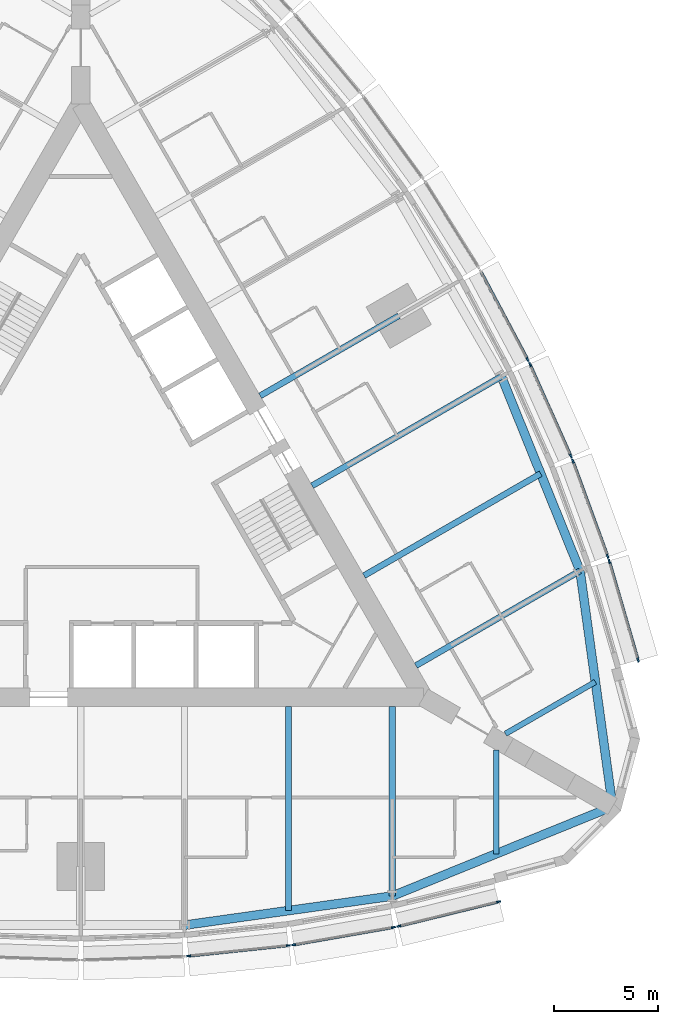
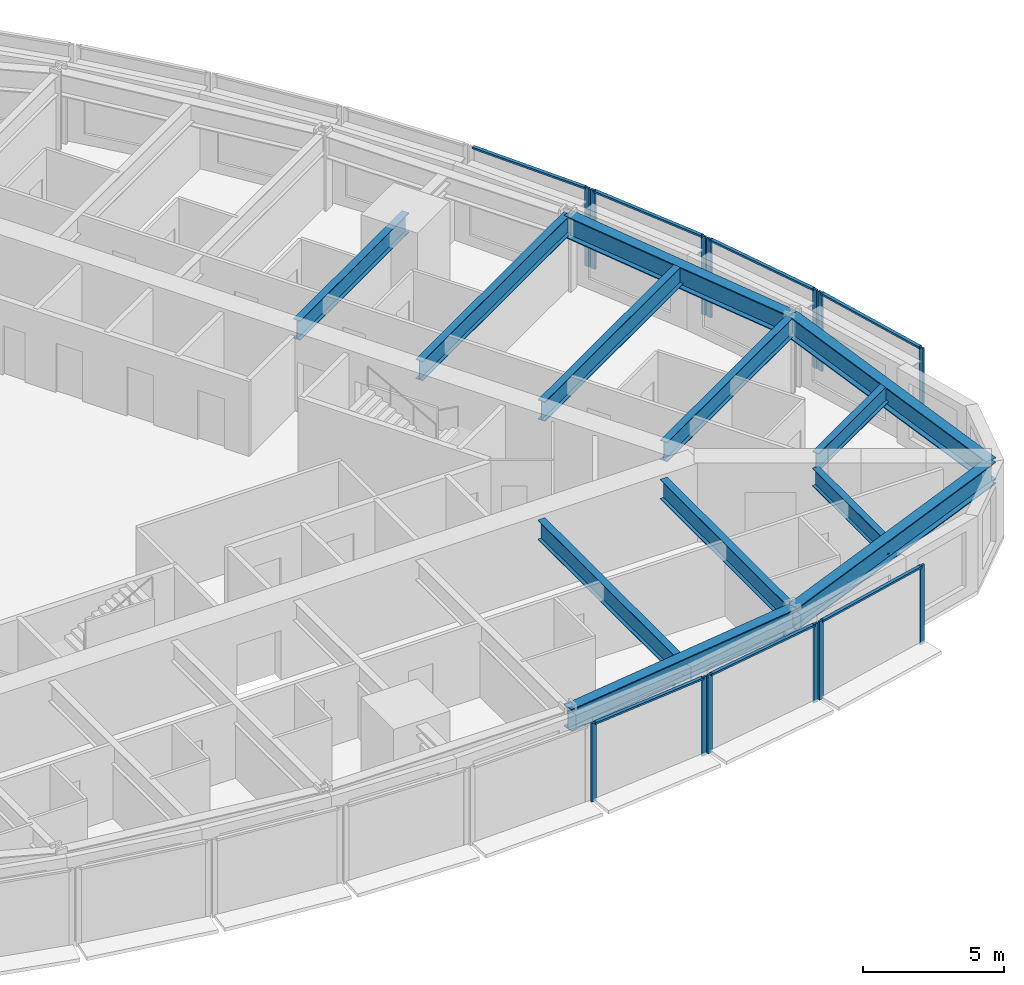
# One storey, part 3 of 14: 20 members, 12 beams, 7 elements without a shape of their own.
"""IFC4 building model written with IfcOpenShell, lengths in metres."""

from ifc_helpers import new_model, si_unit, direction, frame, origin, origin_2d, place, context, subcontext, project, spatial, rectangle, i_section, extrude, material, material_profile, profile_set, type_object, element, aggregate, save


model = new_model("IFC4")

# Units and contexts
model_context = context("Model", 3, precision=1e-05, world=origin(), true_north=direction((0.0, 1.0)))
body_context = subcontext(model_context, "Body", "Model", "MODEL_VIEW")
ifc_project = project(units=[si_unit("LENGTHUNIT", "METRE"), si_unit("AREAUNIT", "SQUARE_METRE"), si_unit("VOLUMEUNIT", "CUBIC_METRE"), si_unit("PLANEANGLEUNIT", "RADIAN"), si_unit("MASSUNIT", "GRAM", prefix="KILO")], contexts=[model_context])

# Site, building, storey
site_placement = place(None, origin())
site = spatial("IfcSite", under=ifc_project, at=site_placement, CompositionType="ELEMENT")
building_placement = place(site_placement, origin())
building = spatial("IfcBuilding", under=site, at=building_placement, Name="Trikona Tower", CompositionType="ELEMENT")
storey_placement = place(building_placement, frame((0.0, 0.0, 118.10009765625)))
storey = spatial("IfcBuildingStorey", under=building, at=storey_placement, Name="L30", CompositionType="ELEMENT", Elevation=118.10009765625)

# Curtain wall, members
ifc_material_1 = material(Name="Aluminium curtain wall system", Category="aluminium")
curtain_wall_type = type_object("IfcCurtainWallType", Name="Curtain wall DS2", PredefinedType="NOTDEFINED", material=ifc_material_1)
curtain_wall_1_placement = place(storey_placement, origin())
curtain_wall_1 = element("IfcCurtainWall", 1, at=curtain_wall_1_placement, inside=storey, type_object=curtain_wall_type, Name="Curtain wall DS2 L30", PredefinedType="NOTDEFINED")
ifc_material_2 = material(Name="Aluminium mullion, pale anodised", Category="aluminium")
ifc_material_profile_1 = material_profile(ifc_material_2, rectangle(XDim=0.080078125, YDim=0.199951171875, at=origin_2d()), Name="MUL-DS2")
ifc_profile_set_1 = profile_set([ifc_material_profile_1], Name="Aluminium mullion, pale anodised")
member_type_1 = type_object("IfcMemberType", Name="Mullion DS2 80x200", PredefinedType="MULLION", material=ifc_profile_set_1)
member_1_placement = place(storey_placement, frame((5.193359375, -21.98486328125, 0.0), z_axis=(0.0, 0.0, 1.0), x_axis=(-0.104433387357, 0.994531883654, 0.0)))
member_1 = element("IfcMember", 2, at=member_1_placement, type_object=member_type_1, Name="CW-DS2 mullion 1", PredefinedType="MULLION", context=body_context, shape_type="SweptSolid", body=[
    extrude(rectangle(XDim=0.080078125, YDim=0.199951171875, at=origin_2d()), origin(), (0.0, 0.0, 1.0), 3.39990234375),
])
member_2_placement = place(storey_placement, frame((9.99462890625, -21.480712890625, 0.0), z_axis=(0.0, 0.0, 1.0), x_axis=(-0.104433387357, 0.994531883654, 0.0)))
member_2 = element("IfcMember", 3, at=member_2_placement, type_object=member_type_1, Name="CW-DS2 mullion 2", PredefinedType="MULLION", context=body_context, shape_type="SweptSolid", body=[
    extrude(rectangle(XDim=0.080078125, YDim=0.199951171875, at=origin_2d()), origin(), (0.0, 0.0, 1.0), 3.39990234375),
])

curtain_wall_2_placement = place(storey_placement, origin())
curtain_wall_2 = element("IfcCurtainWall", 4, at=curtain_wall_2_placement, inside=storey, type_object=curtain_wall_type, Name="Curtain wall DS2 L30", PredefinedType="NOTDEFINED")
member_3_placement = place(storey_placement, frame((10.253662109375, -21.444580078125, 0.0), z_axis=(0.0, 0.0, 1.0), x_axis=(-0.17237739505, 0.985030981074, 0.0)))
member_3 = element("IfcMember", 5, at=member_3_placement, type_object=member_type_1, Name="CW-DS2 mullion 1", PredefinedType="MULLION", context=body_context, shape_type="SweptSolid", body=[
    extrude(rectangle(XDim=0.080078125, YDim=0.199951171875, at=origin_2d()), origin(), (0.0, 0.0, 1.0), 3.39990234375),
])
member_4_placement = place(storey_placement, frame((15.056640625, -20.60400390625, 0.0), z_axis=(0.0, 0.0, 1.0), x_axis=(-0.17237739505, 0.985030981074, 0.0)))
member_4 = element("IfcMember", 6, at=member_4_placement, type_object=member_type_1, Name="CW-DS2 mullion 2", PredefinedType="MULLION", context=body_context, shape_type="SweptSolid", body=[
    extrude(rectangle(XDim=0.080078125, YDim=0.199951171875, at=origin_2d()), origin(), (0.0, 0.0, 1.0), 3.39990234375),
])

curtain_wall_3_placement = place(storey_placement, origin())
curtain_wall_3 = element("IfcCurtainWall", 7, at=curtain_wall_3_placement, inside=storey, type_object=curtain_wall_type, Name="Curtain wall DS2 L30", PredefinedType="NOTDEFINED")
member_5_placement = place(storey_placement, frame((15.311279296875, -20.550537109375, 0.0), z_axis=(0.0, 0.0, 1.0), x_axis=(-0.237970204243, 0.971272455026, 0.0)))
member_5 = element("IfcMember", 8, at=member_5_placement, type_object=member_type_1, Name="CW-DS2 mullion 1", PredefinedType="MULLION", context=body_context, shape_type="SweptSolid", body=[
    extrude(rectangle(XDim=0.080078125, YDim=0.199951171875, at=origin_2d()), origin(), (0.0, 0.0, 1.0), 3.39990234375),
])
member_6_placement = place(storey_placement, frame((20.116943359375, -19.373046875, 0.0), z_axis=(0.0, 0.0, 1.0), x_axis=(-0.237970204243, 0.971272455026, 0.0)))
member_6 = element("IfcMember", 9, at=member_6_placement, type_object=member_type_1, Name="CW-DS2 mullion 2", PredefinedType="MULLION", context=body_context, shape_type="SweptSolid", body=[
    extrude(rectangle(XDim=0.080078125, YDim=0.199951171875, at=origin_2d()), origin(), (0.0, 0.0, 1.0), 3.39990234375),
])

curtain_wall_4_placement = place(storey_placement, origin())
curtain_wall_4 = element("IfcCurtainWall", 10, at=curtain_wall_4_placement, inside=storey, type_object=curtain_wall_type, Name="Curtain wall DS2 L30", PredefinedType="NOTDEFINED")
member_7_placement = place(storey_placement, frame((26.836181640625, -7.7353515625, 0.0), z_axis=(0.0, 0.0, 1.0), x_axis=(-0.96013310152, -0.279543247757, 0.0)))
member_7 = element("IfcMember", 11, at=member_7_placement, type_object=member_type_1, Name="CW-DS2 mullion 1", PredefinedType="MULLION", context=body_context, shape_type="SweptSolid", body=[
    extrude(rectangle(XDim=0.080078125, YDim=0.199951171875, at=origin_2d()), origin(), (0.0, 0.0, 1.0), 3.39990234375),
])
member_8_placement = place(storey_placement, frame((25.452880859375, -2.984619140625, 0.0), z_axis=(0.0, 0.0, 1.0), x_axis=(-0.96013310152, -0.279543247757, 0.0)))
member_8 = element("IfcMember", 12, at=member_8_placement, type_object=member_type_1, Name="CW-DS2 mullion 2", PredefinedType="MULLION", context=body_context, shape_type="SweptSolid", body=[
    extrude(rectangle(XDim=0.080078125, YDim=0.199951171875, at=origin_2d()), origin(), (0.0, 0.0, 1.0), 3.39990234375),
])

curtain_wall_5_placement = place(storey_placement, origin())
curtain_wall_5 = element("IfcCurtainWall", 13, at=curtain_wall_5_placement, inside=storey, type_object=curtain_wall_type, Name="Curtain wall DS2 L30", PredefinedType="NOTDEFINED")
member_9_placement = place(storey_placement, frame((25.371826171875, -2.737548828125, 0.0), z_axis=(0.0, 0.0, 1.0), x_axis=(-0.939253790978, -0.343223420143, 0.0)))
member_9 = element("IfcMember", 14, at=member_9_placement, type_object=member_type_1, Name="CW-DS2 mullion 1", PredefinedType="MULLION", context=body_context, shape_type="SweptSolid", body=[
    extrude(rectangle(XDim=0.080078125, YDim=0.199951171875, at=origin_2d()), origin(), (0.0, 0.0, 1.0), 3.39990234375),
])
member_10_placement = place(storey_placement, frame((23.6982421875, 1.84228515625, 0.0), z_axis=(0.0, 0.0, 1.0), x_axis=(-0.939253790978, -0.343223420143, 0.0)))
member_10 = element("IfcMember", 15, at=member_10_placement, type_object=member_type_1, Name="CW-DS2 mullion 2", PredefinedType="MULLION", context=body_context, shape_type="SweptSolid", body=[
    extrude(rectangle(XDim=0.080078125, YDim=0.199951171875, at=origin_2d()), origin(), (0.0, 0.0, 1.0), 3.39990234375),
])

curtain_wall_6_placement = place(storey_placement, origin())
curtain_wall_6 = element("IfcCurtainWall", 16, at=curtain_wall_6_placement, inside=storey, type_object=curtain_wall_type, Name="Curtain wall DS2 L30", PredefinedType="NOTDEFINED")
member_11_placement = place(storey_placement, frame((23.60009765625, 2.0849609375, 0.0), z_axis=(0.0, 0.0, 1.0), x_axis=(-0.913501208767, -0.406836013132, 0.0)))
member_11 = element("IfcMember", 17, at=member_11_placement, type_object=member_type_1, Name="CW-DS2 mullion 1", PredefinedType="MULLION", context=body_context, shape_type="SweptSolid", body=[
    extrude(rectangle(XDim=0.080078125, YDim=0.199951171875, at=origin_2d()), origin(), (0.0, 0.0, 1.0), 3.39990234375),
])
member_12_placement = place(storey_placement, frame((21.63623046875, 6.494873046875, 0.0), z_axis=(0.0, 0.0, 1.0), x_axis=(-0.913501208767, -0.406836013132, 0.0)))
member_12 = element("IfcMember", 18, at=member_12_placement, type_object=member_type_1, Name="CW-DS2 mullion 2", PredefinedType="MULLION", context=body_context, shape_type="SweptSolid", body=[
    extrude(rectangle(XDim=0.080078125, YDim=0.199951171875, at=origin_2d()), origin(), (0.0, 0.0, 1.0), 3.39990234375),
])

# Curtain wall, member
curtain_wall_7_placement = place(storey_placement, origin())
curtain_wall_7 = element("IfcCurtainWall", 19, at=curtain_wall_7_placement, inside=storey, type_object=curtain_wall_type, Name="Curtain wall DS2 L30", PredefinedType="NOTDEFINED")
member_13_placement = place(storey_placement, frame((21.52099609375, 6.730712890625, 0.0), z_axis=(0.0, 0.0, 1.0), x_axis=(-0.882996107343, -0.469380308937, 0.0)))
member_13 = element("IfcMember", 20, at=member_13_placement, type_object=member_type_1, Name="CW-DS2 mullion 1", PredefinedType="MULLION", context=body_context, shape_type="SweptSolid", body=[
    extrude(rectangle(XDim=0.080078125, YDim=0.199951171875, at=origin_2d()), origin(), (0.0, 0.0, 1.0), 3.39990234375),
])

# Beams
ifc_material_3 = material(Name="Steel ASTM A992 Grade 50", Category="steel")
ifc_material_profile_2 = material_profile(ifc_material_3, i_section(OverallWidth=0.2666015625, OverallDepth=0.76953125, WebThickness=0.015625, FlangeThickness=0.025390625, at=origin_2d()), Name="W30X132")
ifc_profile_set_2 = profile_set([ifc_material_profile_2], Name="Steel ASTM A992 Grade 50")
beam_type_1 = type_object("IfcBeamType", Name="Steel beam W30x132 (wedge)", PredefinedType="BEAM", material=ifc_profile_set_2)
beam_1_placement = place(storey_placement, frame((20.0, -12.066650390625, 2.85009765625), z_axis=(0.0, -1.0, 0.0), x_axis=(1.0, 0.0, 0.0)))
element("IfcBeam", 21, at=beam_1_placement, inside=storey, type_object=beam_type_1, Name="Floor beam L31 F1 u20", PredefinedType="BEAM", context=body_context, shape_type="SweptSolid", body=[
    extrude(i_section(OverallWidth=0.2666015625, OverallDepth=0.76953125, WebThickness=0.015625, FlangeThickness=0.025390625, at=origin_2d()), origin(), (0.0, 0.0, 1.0), 5.00048828125),
])
beam_2_placement = place(storey_placement, frame((20.449951171875, -11.287109375, 2.85009765625), z_axis=(0.866038434829, 0.49997742889, 0.0), x_axis=(-0.49997742889, 0.866038434829, 0.0)))
element("IfcBeam", 22, at=beam_2_placement, inside=storey, type_object=beam_type_1, Name="Floor beam L31 F2 u-20", PredefinedType="BEAM", context=body_context, shape_type="SweptSolid", body=[
    extrude(i_section(OverallWidth=0.2666015625, OverallDepth=0.76953125, WebThickness=0.015625, FlangeThickness=0.025390625, at=origin_2d()), origin(), (0.0, 0.0, 1.0), 5.000732421875),
])
ifc_material_4 = material(Name="Steel ASTM A992 Grade 50", Category="steel")
ifc_material_profile_3 = material_profile(ifc_material_4, i_section(OverallWidth=0.2919921875, OverallDepth=0.845703125, WebThickness=0.015380859375, FlangeThickness=0.0244140625, at=origin_2d()), Name="W33X141")
ifc_profile_set_3 = profile_set([ifc_material_profile_3], Name="Steel ASTM A992 Grade 50")
beam_type_2 = type_object("IfcBeamType", Name="Steel beam W33x141 (radial typ)", PredefinedType="BEAM", material=ifc_profile_set_3)
beam_3_placement = place(storey_placement, frame((10.0, -9.976318359375, 2.81201171875), z_axis=(0.0, -1.0, 0.0), x_axis=(1.0, 0.0, 0.0)))
element("IfcBeam", 23, at=beam_3_placement, inside=storey, type_object=beam_type_2, Name="Floor beam L31 F1 u10", PredefinedType="BEAM", context=body_context, shape_type="SweptSolid", body=[
    extrude(i_section(OverallWidth=0.2919921875, OverallDepth=0.845703125, WebThickness=0.015380859375, FlangeThickness=0.0244140625, at=origin_2d()), origin(), (0.0, 0.0, 1.0), 9.823974609375),
])
beam_4_placement = place(storey_placement, frame((15.0, -9.976318359375, 2.81201171875), z_axis=(0.0, -1.0, 0.0), x_axis=(1.0, 0.0, 0.0)))
element("IfcBeam", 24, at=beam_4_placement, inside=storey, type_object=beam_type_2, Name="Floor beam L31 F1 u15", PredefinedType="BEAM", context=body_context, shape_type="SweptSolid", body=[
    extrude(i_section(OverallWidth=0.2919921875, OverallDepth=0.845703125, WebThickness=0.015380859375, FlangeThickness=0.0244140625, at=origin_2d()), origin(), (0.0, 0.0, 1.0), 9.123779296875),
])
beam_5_placement = place(storey_placement, frame((16.1396484375, -8.002197265625, 2.81201171875), z_axis=(0.866024725532, 0.500001174766, 0.0), x_axis=(-0.500001174766, 0.866024725532, 0.0)))
element("IfcBeam", 25, at=beam_5_placement, inside=storey, type_object=beam_type_2, Name="Floor beam L31 F2 u-15", PredefinedType="BEAM", context=body_context, shape_type="SweptSolid", body=[
    extrude(i_section(OverallWidth=0.2919921875, OverallDepth=0.845703125, WebThickness=0.015380859375, FlangeThickness=0.0244140625, at=origin_2d()), origin(), (0.0, 0.0, 1.0), 9.1240234375),
])
beam_6_placement = place(storey_placement, frame((13.6396484375, -3.672119140625, 2.81201171875), z_axis=(0.866020046725, 0.500009278584, 0.0), x_axis=(-0.500009278584, 0.866020046725, 0.0)))
element("IfcBeam", 26, at=beam_6_placement, inside=storey, type_object=beam_type_2, Name="Floor beam L31 F2 u-10", PredefinedType="BEAM", context=body_context, shape_type="SweptSolid", body=[
    extrude(i_section(OverallWidth=0.2919921875, OverallDepth=0.845703125, WebThickness=0.015380859375, FlangeThickness=0.0244140625, at=origin_2d()), origin(), (0.0, 0.0, 1.0), 9.823974609375),
])
beam_7_placement = place(storey_placement, frame((11.1396484375, 0.657958984375, 2.81201171875), z_axis=(0.866026035623, 0.499998905622, 0.0), x_axis=(-0.499998905622, 0.866026035623, 0.0)))
element("IfcBeam", 27, at=beam_7_placement, inside=storey, type_object=beam_type_2, Name="Floor beam L31 F2 u-5", PredefinedType="BEAM", context=body_context, shape_type="SweptSolid", body=[
    extrude(i_section(OverallWidth=0.2919921875, OverallDepth=0.845703125, WebThickness=0.015380859375, FlangeThickness=0.0244140625, at=origin_2d()), origin(), (0.0, 0.0, 1.0), 10.52392578125),
])
beam_8_placement = place(storey_placement, frame((8.6396484375, 4.988037109375, 2.81201171875), z_axis=(0.866017246294, 0.500014128921, 0.0), x_axis=(-0.500014128921, 0.866017246294, 0.0)))
element("IfcBeam", 28, at=beam_8_placement, inside=storey, type_object=beam_type_2, Name="Floor beam L31 F2 u0", PredefinedType="BEAM", context=body_context, shape_type="SweptSolid", body=[
    extrude(i_section(OverallWidth=0.2919921875, OverallDepth=0.845703125, WebThickness=0.015380859375, FlangeThickness=0.0244140625, at=origin_2d()), origin(), (0.0, 0.0, 1.0), 7.704345703125),
])
ifc_material_5 = material(Name="Steel ASTM A992 Grade 50", Category="steel")
ifc_material_profile_4 = material_profile(ifc_material_5, i_section(OverallWidth=0.424072265625, OverallDepth=0.947509765625, WebThickness=0.02392578125, FlangeThickness=0.042724609375, at=origin_2d()), Name="W36X302")
ifc_profile_set_4 = profile_set([ifc_material_profile_4], Name="Steel ASTM A992 Grade 50")
beam_type_3 = type_object("IfcBeamType", Name="Steel beam W36x302 (spandrel)", PredefinedType="SPANDREL", material=ifc_profile_set_4)
beam_9_placement = place(storey_placement, frame((5.0, -20.500244140625, 2.76123046875), z_axis=(0.990339754644, 0.13866207258, 0.0), x_axis=(-0.13866207258, 0.990339754644, 0.0)))
element("IfcBeam", 29, at=beam_9_placement, inside=storey, type_object=beam_type_3, Name="Spandrel beam L31 F1-4", PredefinedType="SPANDREL", context=body_context, shape_type="SweptSolid", body=[
    extrude(i_section(OverallWidth=0.424072265625, OverallDepth=0.947509765625, WebThickness=0.02392578125, FlangeThickness=0.042724609375, at=origin_2d()), origin(), (0.0, 0.0, 1.0), 10.09765625),
])
for number, where, z_axis, x_axis, name in (
    (30, (15.0, -19.10009765625, 2.76123046875), (0.926359695662, 0.376640032728, 0.0), (-0.376640032728, 0.926359695662, 0.0), "Spandrel beam L31 F1-5"),
    (31, (25.6103515625, -14.7861328125, 2.76123046875), (-0.136991535842, 0.990572218017, 0.0), (-0.990572218017, -0.136991535842, 0.0), "Spandrel beam L31 F2-1"),
):
    element("IfcBeam", number, at=place(storey_placement, frame(where, z_axis=z_axis, x_axis=x_axis)), inside=storey, type_object=beam_type_3, Name=name, PredefinedType="SPANDREL", context=body_context, shape_type="SweptSolid", body=[
        extrude(i_section(OverallWidth=0.424072265625, OverallDepth=0.947509765625, WebThickness=0.02392578125, FlangeThickness=0.042724609375, at=origin_2d()), origin(), (0.0, 0.0, 1.0), 11.453857421875),
    ])
beam_10_placement = place(storey_placement, frame((24.041259765625, -3.440185546875, 2.76123046875), z_axis=(-0.375106193787, 0.926981846307, 0.0), x_axis=(-0.926981846307, -0.375106193787, 0.0)))
element("IfcBeam", 32, at=beam_10_placement, inside=storey, type_object=beam_type_3, Name="Spandrel beam L31 F2-2", PredefinedType="SPANDREL", context=body_context, shape_type="SweptSolid", body=[
    extrude(i_section(OverallWidth=0.424072265625, OverallDepth=0.947509765625, WebThickness=0.02392578125, FlangeThickness=0.042724609375, at=origin_2d()), origin(), (0.0, 0.0, 1.0), 10.097412109375),
])

# Member
ifc_material_6 = material(Name="Aluminium transom, pale anodised", Category="aluminium")
ifc_material_profile_5 = material_profile(ifc_material_6, rectangle(XDim=0.139892578125, YDim=0.080078125, at=origin_2d()), Name="TRN-DS2")
ifc_profile_set_5 = profile_set([ifc_material_profile_5], Name="Aluminium transom, pale anodised")
member_type_2 = type_object("IfcMemberType", Name="Transom DS2 80x140", PredefinedType="USERDEFINED", material=ifc_profile_set_5)
member_14_placement = place(storey_placement, frame((5.233154296875, -21.980712890625, 3.35986328125), z_axis=(0.99453106441, 0.104441188822, 0.0), x_axis=(-0.104441188822, 0.99453106441, 0.0)))
member_14 = element("IfcMember", 33, at=member_14_placement, type_object=member_type_2, Name="CW-DS2 transom 1.1", ObjectType="TRANSOM", PredefinedType="USERDEFINED", context=body_context, shape_type="SweptSolid", body=[
    extrude(rectangle(XDim=0.139892578125, YDim=0.080078125, at=origin_2d()), origin(), (0.0, 0.0, 1.0), 4.74755859375),
])

aggregate(curtain_wall_1, [member_1, member_2, member_14])

member_15_placement = place(storey_placement, frame((10.29296875, -21.4375, 3.35986328125), z_axis=(0.98503262804, 0.172367983387, 0.0), x_axis=(-0.172367983387, 0.98503262804, 0.0)))
member_15 = element("IfcMember", 34, at=member_15_placement, type_object=member_type_2, Name="CW-DS2 transom 1.1", ObjectType="TRANSOM", PredefinedType="USERDEFINED", context=body_context, shape_type="SweptSolid", body=[
    extrude(rectangle(XDim=0.139892578125, YDim=0.080078125, at=origin_2d()), origin(), (0.0, 0.0, 1.0), 4.7958984375),
])

aggregate(curtain_wall_2, [member_3, member_4, member_15])

member_16_placement = place(storey_placement, frame((15.35009765625, -20.541015625, 3.35986328125), z_axis=(0.971270583303, 0.237977843528, 0.0), x_axis=(-0.237977843528, 0.971270583303, 0.0)))
member_16 = element("IfcMember", 35, at=member_16_placement, type_object=member_type_2, Name="CW-DS2 transom 1.1", ObjectType="TRANSOM", PredefinedType="USERDEFINED", context=body_context, shape_type="SweptSolid", body=[
    extrude(rectangle(XDim=0.139892578125, YDim=0.080078125, at=origin_2d()), origin(), (0.0, 0.0, 1.0), 4.867919921875),
])

aggregate(curtain_wall_3, [member_5, member_6, member_16])

member_17_placement = place(storey_placement, frame((26.824951171875, -7.69677734375, 3.35986328125), z_axis=(-0.279566628153, 0.960126293996, 0.0), x_axis=(-0.960126293996, -0.279566628153, 0.0)))
member_17 = element("IfcMember", 36, at=member_17_placement, type_object=member_type_2, Name="CW-DS2 transom 1.1", ObjectType="TRANSOM", PredefinedType="USERDEFINED", context=body_context, shape_type="SweptSolid", body=[
    extrude(rectangle(XDim=0.139892578125, YDim=0.080078125, at=origin_2d()), origin(), (0.0, 0.0, 1.0), 4.86767578125),
])

aggregate(curtain_wall_4, [member_7, member_8, member_17])

member_18_placement = place(storey_placement, frame((25.358154296875, -2.699951171875, 3.35986328125), z_axis=(-0.343205907674, 0.939260190223, 0.0), x_axis=(-0.939260190223, -0.343205907674, 0.0)))
member_18 = element("IfcMember", 37, at=member_18_placement, type_object=member_type_2, Name="CW-DS2 transom 1.1", ObjectType="TRANSOM", PredefinedType="USERDEFINED", context=body_context, shape_type="SweptSolid", body=[
    extrude(rectangle(XDim=0.139892578125, YDim=0.080078125, at=origin_2d()), origin(), (0.0, 0.0, 1.0), 4.7958984375),
])

aggregate(curtain_wall_5, [member_9, member_10, member_18])

member_19_placement = place(storey_placement, frame((23.583740234375, 2.12158203125, 3.35986328125), z_axis=(-0.406839769607, 0.913499535778, 0.0), x_axis=(-0.913499535778, -0.406839769607, 0.0)))
member_19 = element("IfcMember", 38, at=member_19_placement, type_object=member_type_2, Name="CW-DS2 transom 1.1", ObjectType="TRANSOM", PredefinedType="USERDEFINED", context=body_context, shape_type="SweptSolid", body=[
    extrude(rectangle(XDim=0.139892578125, YDim=0.080078125, at=origin_2d()), origin(), (0.0, 0.0, 1.0), 4.747314453125),
])

aggregate(curtain_wall_6, [member_11, member_12, member_19])

member_20_placement = place(storey_placement, frame((21.502197265625, 6.76611328125, 3.35986328125), z_axis=(-0.469364343408, 0.883004594063, 0.0), x_axis=(-0.883004594063, -0.469364343408, 0.0)))
member_20 = element("IfcMember", 39, at=member_20_placement, type_object=member_type_2, Name="CW-DS2 transom 1.1", ObjectType="TRANSOM", PredefinedType="USERDEFINED", context=body_context, shape_type="SweptSolid", body=[
    extrude(rectangle(XDim=0.139892578125, YDim=0.080078125, at=origin_2d()), origin(), (0.0, 0.0, 1.0), 4.722900390625),
])

aggregate(curtain_wall_7, [member_13, member_20])

save(model, "model.ifc")
